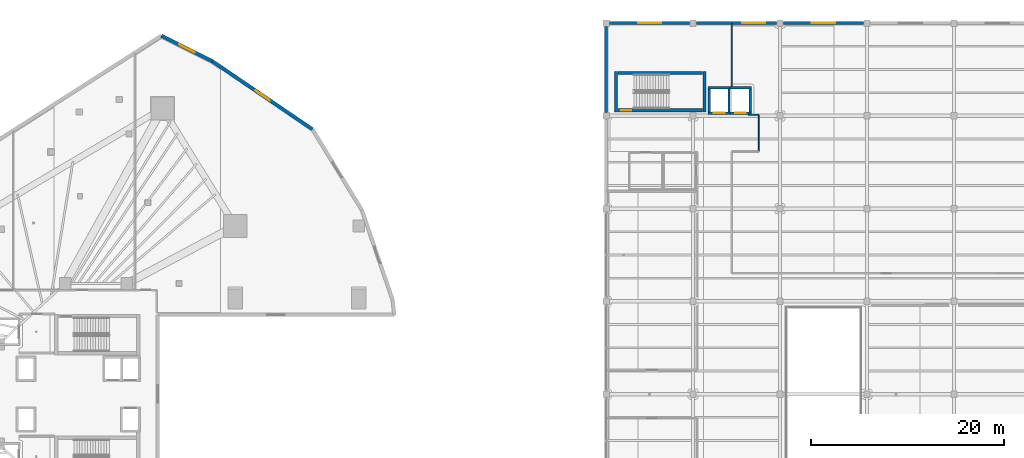
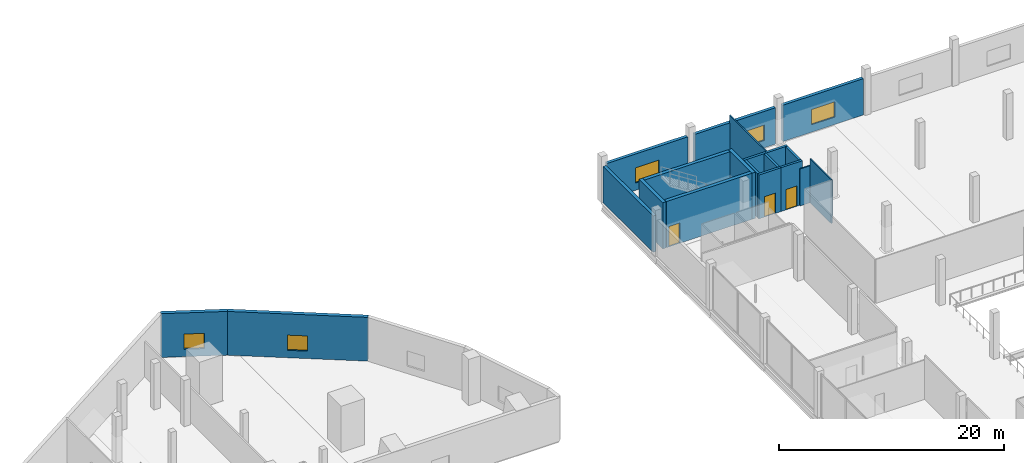
# One storey, part 33 of 46: 20 walls, 5 windows, 3 doors, 8 openings.
"""IFC4 building model written with IfcOpenShell, lengths in metres."""

from ifc_helpers import new_model, si_unit, direction, frame, frame_2d, origin, place, context, subcontext, project, spatial, rectangle, extrude, material, layer, layer_set, type_object, element, fill, save


model = new_model("IFC4")

# Units and contexts
model_context = context("Model", 3, precision=1e-05, world=origin(), true_north=direction((0.0, 1.0)))
body_context = subcontext(model_context, "Body", "Model", "MODEL_VIEW")
ifc_project = project(units=[si_unit("LENGTHUNIT", "METRE"), si_unit("AREAUNIT", "SQUARE_METRE"), si_unit("VOLUMEUNIT", "CUBIC_METRE"), si_unit("PLANEANGLEUNIT", "RADIAN"), si_unit("MASSUNIT", "GRAM", prefix="KILO")], contexts=[model_context])

# Site, building, storey
site_placement = place(None, origin())
site = spatial("IfcSite", under=ifc_project, at=site_placement, CompositionType="ELEMENT")
building_placement = place(site_placement, origin())
building = spatial("IfcBuilding", under=site, at=building_placement, Name="Qorvath Tower", CompositionType="ELEMENT")
storey_placement = place(building_placement, frame((0.0, 0.0, 17.0)))
storey = spatial("IfcBuildingStorey", under=building, at=storey_placement, Name="L03", CompositionType="ELEMENT", Elevation=17.0)

# Walls
ifc_material_1 = material(Name="Gypsum board on metal studs with mineral wool", Category="gypsum")
ifc_layer_1 = layer(ifc_material_1, 0.125)
ifc_layer_set_1 = layer_set([ifc_layer_1], Name="IW-PART-125")
wall_type_1 = type_object("IfcWallType", Name="IW-PART-125", PredefinedType="PARTITIONING", material=ifc_layer_set_1)
wall_1_placement = place(storey_placement, frame((48.18310546875, 28.907958984375, 0.0), z_axis=(0.0, 0.0, 1.0), x_axis=(-1.0, 0.0, 0.0)))
element("IfcWall", 1, at=wall_1_placement, inside=storey, type_object=wall_type_1, Name="Interior Partition IW-LB-L03-017", PredefinedType="PARTITIONING", context=body_context, shape_type="SweptSolid", body=[
    extrude(rectangle(XDim=1.05810546875, YDim=0.125, at=frame_2d((0.529052734375, 0.0))), origin(), (0.0, 0.0, 1.0), 4.01416015625),
])
wall_2_placement = place(storey_placement, frame((48.2080078125, 28.883056640625, 0.0), z_axis=(0.0, 0.0, 1.0), x_axis=(0.0, -1.0, 0.0)))
element("IfcWall", 2, at=wall_2_placement, inside=storey, type_object=wall_type_1, Name="Interior Partition IW-LB-L03-018", PredefinedType="PARTITIONING", context=body_context, shape_type="SweptSolid", body=[
    extrude(rectangle(XDim=3.745849609375, YDim=0.125, at=frame_2d((1.873046875, 0.0))), origin(), (0.0, 0.0, 1.0), 4.739990234375),
])
wall_3_placement = place(storey_placement, frame((45.39990234375, 38.320068359375, 0.0), z_axis=(0.0, 0.0, 1.0), x_axis=(0.0, -1.0, 0.0)))
element("IfcWall", 3, at=wall_3_placement, inside=storey, type_object=wall_type_1, Name="Interior Partition IW-LB-L03-022", PredefinedType="PARTITIONING", context=body_context, shape_type="SweptSolid", body=[
    extrude(rectangle(XDim=6.43505859375, YDim=0.125, at=frame_2d((3.217529296875, 0.0))), origin(), (0.0, 0.0, 1.0), 4.739990234375),
])

# Wall, opening, door
ifc_material_2 = material(Name="Concrete C60/75", Category="concrete")
ifc_layer_2 = layer(ifc_material_2, 0.260009765625)
ifc_layer_set_2 = layer_set([ifc_layer_2], Name="SW-SHAFT")
wall_type_2 = type_object("IfcWallType", Name="SW-SHAFT", PredefinedType="SHEAR", material=ifc_layer_set_2)
wall_4_placement = place(storey_placement, frame((45.239990234375, 29.080078125, 0.0), z_axis=(0.0, 0.0, 1.0), x_axis=(-1.0, 0.0, 0.0)))
wall_4 = element("IfcWall", 4, at=wall_4_placement, inside=storey, type_object=wall_type_2, Name="Hoistway Wall LL-1 L03 S", PredefinedType="SHEAR", context=body_context, shape_type="SweptSolid", body=[
    extrude(rectangle(XDim=2.280029296875, YDim=0.239990234375, at=frame_2d((1.14013671875, 0.0))), origin(), (0.0, 0.0, 1.0), 4.739990234375),
])
opening_1_placement = place(wall_4_placement, frame((0.58984375, 0.0, 0.0)))
opening_1 = element("IfcOpeningElement", 5, at=opening_1_placement, cuts=wall_4, Name="Opening LD-LL-1-L03", PredefinedType="OPENING", context=body_context, shape_type="SweptSolid", body=[
    extrude(rectangle(XDim=1.10009765625, YDim=2.199951171875, at=frame_2d((0.550048828125, 1.10009765625))), frame((0.0, 0.1298828125, 0.0), z_axis=(0.0, -1.0, 0.0), x_axis=(1.0, 0.0, 0.0)), (0.0, 0.0, 1.0), 0.260009765625),
])
ifc_material_3 = material(Name="Brushed stainless steel AISI 316", Category="steel")
door_type_1 = type_object("IfcDoorType", Name="LD-01", OperationType="NOTDEFINED", PredefinedType="DOOR", material=ifc_material_3)
door_1_placement = place(opening_1_placement, origin())
door_1 = element("IfcDoor", 6, at=door_1_placement, inside=storey, type_object=door_type_1, Name="Elevator Landing Sliding Door LD-LL-1-L03", OperationType="DOUBLE_DOOR_SLIDING", OverallHeight=2.199951171875, OverallWidth=1.10009765625, PredefinedType="DOOR", context=body_context, shape_type="SweptSolid", body=[
    extrude(rectangle(XDim=1.10009765625, YDim=2.199951171875, at=frame_2d((0.550048828125, 1.10009765625))), frame((0.0, 0.02490234375, 0.0), z_axis=(0.0, -1.0, 0.0), x_axis=(1.0, 0.0, 0.0)), (0.0, 0.0, 1.0), 0.050048828125),
])
fill(opening_1, door_1)

# Walls
wall_5_placement = place(storey_placement, frame((42.9599609375, 31.719970703125, 0.0), z_axis=(0.0, 0.0, 1.0), x_axis=(1.0, 0.0, 0.0)))
element("IfcWall", 7, at=wall_5_placement, inside=storey, type_object=wall_type_2, Name="Hoistway Wall LL-1 L03 N", PredefinedType="SHEAR", context=body_context, shape_type="SweptSolid", body=[
    extrude(rectangle(XDim=2.280029296875, YDim=0.239990234375, at=frame_2d((1.14013671875, 0.0))), origin(), (0.0, 0.0, 1.0), 4.739990234375),
])
for number, where, z_axis, x_axis, name in (
    (8, (43.080078125, 29.2119140625, 0.0), (0.0, 0.0, 1.0), (0.0, 1.0, 0.0), "Hoistway Wall LL-1 L03 W"),
    (9, (45.1201171875, 31.587890625, 0.0), (0.0, 0.0, 1.0), (0.0, -1.0, 0.0), "Hoistway Wall LL-1 L03 E"),
):
    element("IfcWall", number, at=place(storey_placement, frame(where, z_axis=z_axis, x_axis=x_axis)), inside=storey, type_object=wall_type_2, Name=name, PredefinedType="SHEAR", context=body_context, shape_type="SweptSolid", body=[
        extrude(rectangle(XDim=2.3759765625, YDim=0.239990234375, at=frame_2d((1.18798828125, 0.0))), origin(), (0.0, 0.0, 1.0), 4.739990234375),
    ])

# Wall, opening, door
wall_6_placement = place(storey_placement, frame((47.43994140625, 29.080078125, 0.0), z_axis=(0.0, 0.0, 1.0), x_axis=(-1.0, 0.0, 0.0)))
wall_6 = element("IfcWall", 10, at=wall_6_placement, inside=storey, type_object=wall_type_2, Name="Hoistway Wall LL-2 L03 S", PredefinedType="SHEAR", context=body_context, shape_type="SweptSolid", body=[
    extrude(rectangle(XDim=2.199951171875, YDim=0.239990234375, at=frame_2d((1.10009765625, 0.0))), origin(), (0.0, 0.0, 1.0), 4.739990234375),
])
opening_2_placement = place(wall_6_placement, frame((0.58984375, 0.0, 0.0)))
opening_2 = element("IfcOpeningElement", 11, at=opening_2_placement, cuts=wall_6, Name="Opening LD-LL-2-L03", PredefinedType="OPENING", context=body_context, shape_type="SweptSolid", body=[
    extrude(rectangle(XDim=1.10009765625, YDim=2.199951171875, at=frame_2d((0.550048828125, 1.10009765625))), frame((0.0, 0.1298828125, 0.0), z_axis=(0.0, -1.0, 0.0), x_axis=(1.0, 0.0, 0.0)), (0.0, 0.0, 1.0), 0.260009765625),
])
door_2_placement = place(opening_2_placement, origin())
door_2 = element("IfcDoor", 12, at=door_2_placement, inside=storey, type_object=door_type_1, Name="Elevator Landing Sliding Door LD-LL-2-L03", OperationType="DOUBLE_DOOR_SLIDING", OverallHeight=2.199951171875, OverallWidth=1.10009765625, PredefinedType="DOOR", context=body_context, shape_type="SweptSolid", body=[
    extrude(rectangle(XDim=1.10009765625, YDim=2.199951171875, at=frame_2d((0.550048828125, 1.10009765625))), frame((0.0, 0.02490234375, 0.0), z_axis=(0.0, -1.0, 0.0), x_axis=(1.0, 0.0, 0.0)), (0.0, 0.0, 1.0), 0.050048828125),
])
fill(opening_2, door_2)

# Walls
wall_7_placement = place(storey_placement, frame((45.239990234375, 31.719970703125, 0.0), z_axis=(0.0, 0.0, 1.0), x_axis=(1.0, 0.0, 0.0)))
element("IfcWall", 13, at=wall_7_placement, inside=storey, type_object=wall_type_2, Name="Hoistway Wall LL-2 L03 N", PredefinedType="SHEAR", context=body_context, shape_type="SweptSolid", body=[
    extrude(rectangle(XDim=2.199951171875, YDim=0.239990234375, at=frame_2d((1.10009765625, 0.0))), origin(), (0.0, 0.0, 1.0), 4.739990234375),
])
wall_8_placement = place(storey_placement, frame((47.320068359375, 31.587890625, 0.0), z_axis=(0.0, 0.0, 1.0), x_axis=(0.0, -1.0, 0.0)))
element("IfcWall", 14, at=wall_8_placement, inside=storey, type_object=wall_type_2, Name="Hoistway Wall LL-2 L03 E", PredefinedType="SHEAR", context=body_context, shape_type="SweptSolid", body=[
    extrude(rectangle(XDim=2.3759765625, YDim=0.239990234375, at=frame_2d((1.18798828125, 0.0))), origin(), (0.0, 0.0, 1.0), 4.739990234375),
])
ifc_material_4 = material(Name="Concrete C60/75", Category="concrete")
ifc_layer_3 = layer(ifc_material_4, 0.35009765625)
ifc_layer_set_3 = layer_set([ifc_layer_3], Name="SW-STAIR")
wall_type_3 = type_object("IfcWallType", Name="SW-STAIR", PredefinedType="SHEAR", material=ifc_layer_set_3)
for number, where, z_axis, x_axis, name in (
    (15, (33.425048828125, 33.409912109375, 0.0), (0.0, 0.0, 1.0), (0.0, -1.0, 0.0), "Stair LS1 Shear Wall L03 NEAR"),
    (16, (42.574951171875, 29.199951171875, 0.0), (0.0, 0.0, 1.0), (0.0, 1.0, 0.0), "Stair LS1 Shear Wall L03 FAR"),
):
    element("IfcWall", number, at=place(storey_placement, frame(where, z_axis=z_axis, x_axis=x_axis)), inside=storey, type_object=wall_type_3, Name=name, PredefinedType="SHEAR", context=body_context, shape_type="SweptSolid", body=[
        extrude(rectangle(XDim=4.2099609375, YDim=0.35009765625, at=frame_2d((2.10498046875, 0.0))), origin(), (0.0, 0.0, 1.0), 4.9951171875),
    ])

# Wall, opening, door
wall_9_placement = place(storey_placement, frame((33.614990234375, 29.375, 0.0), z_axis=(0.0, 0.0, 1.0), x_axis=(1.0, 0.0, 0.0)))
wall_9 = element("IfcWall", 17, at=wall_9_placement, inside=storey, type_object=wall_type_3, Name="Stair LS1 Shear Wall L03 LEFT", PredefinedType="SHEAR", context=body_context, shape_type="SweptSolid", body=[
    extrude(rectangle(XDim=8.77001953125, YDim=0.35009765625, at=frame_2d((4.385009765625, 0.0))), origin(), (0.0, 0.0, 1.0), 4.9951171875),
])
opening_3_placement = place(wall_9_placement, frame((0.280029296875, 0.0, 0.0)))
opening_3 = element("IfcOpeningElement", 18, at=opening_3_placement, cuts=wall_9, Name="Opening D-LS1-L03", PredefinedType="OPENING", context=body_context, shape_type="SweptSolid", body=[
    extrude(rectangle(XDim=1.10009765625, YDim=2.199951171875, at=frame_2d((0.550048828125, 1.10009765625))), frame((0.0, 0.18505859375, 0.0), z_axis=(0.0, -1.0, 0.0), x_axis=(1.0, 0.0, 0.0)), (0.0, 0.0, 1.0), 0.3701171875),
])
ifc_material_5 = material(Name="Painted galvanised hollow metal", Category="steel")
door_type_2 = type_object("IfcDoorType", Name="FD-90", OperationType="NOTDEFINED", PredefinedType="DOOR", material=ifc_material_5)
door_3_placement = place(opening_3_placement, origin())
door_3 = element("IfcDoor", 19, at=door_3_placement, inside=storey, type_object=door_type_2, Name="Stair LS1 Fire Door L03", OperationType="SINGLE_SWING_RIGHT", OverallHeight=2.199951171875, OverallWidth=1.10009765625, PredefinedType="DOOR", context=body_context, shape_type="SweptSolid", body=[
    extrude(rectangle(XDim=1.10009765625, YDim=2.199951171875, at=frame_2d((0.550048828125, 1.10009765625))), frame((0.0, 0.02490234375, 0.0), z_axis=(0.0, -1.0, 0.0), x_axis=(1.0, 0.0, 0.0)), (0.0, 0.0, 1.0), 0.050048828125),
])
fill(opening_3, door_3)

# Walls
wall_10_placement = place(storey_placement, frame((42.385009765625, 33.235107421875, 0.0), z_axis=(0.0, 0.0, 1.0), x_axis=(-1.0, 0.0, 0.0)))
element("IfcWall", 20, at=wall_10_placement, inside=storey, type_object=wall_type_3, Name="Stair LS1 Shear Wall L03 RIGHT", PredefinedType="SHEAR", context=body_context, shape_type="SweptSolid", body=[
    extrude(rectangle(XDim=8.77001953125, YDim=0.35009765625, at=frame_2d((4.385009765625, 0.0))), origin(), (0.0, 0.0, 1.0), 4.9951171875),
])
ifc_material_6 = material(Name="Precast concrete C45/55", Category="concrete")
ifc_layer_4 = layer(ifc_material_6, 0.320068359375)
ifc_layer_set_4 = layer_set([ifc_layer_4], Name="WL-EW-LIB-320")
wall_type_4 = type_object("IfcWallType", Name="WL-EW-LIB-320", PredefinedType="SOLIDWALL", material=ifc_layer_set_4)
wall_11_placement = place(storey_placement, frame((32.39990234375, 29.169921875, 0.0), z_axis=(0.0, 0.0, 1.0), x_axis=(0.0, 1.0, 0.0)))
element("IfcWall", 21, at=wall_11_placement, inside=storey, type_object=wall_type_4, Name="Library West Precast Facade Wall L03-8", PredefinedType="SOLIDWALL", context=body_context, shape_type="SweptSolid", body=[
    extrude(rectangle(XDim=8.860107421875, YDim=0.320068359375, at=frame_2d((4.43017578125, 0.0))), origin(), (0.0, 0.0, 1.0), 3.93701171875),
])

# Wall, opening, window
wall_12_placement = place(storey_placement, frame((50.77001953125, 38.39990234375, 0.0), z_axis=(0.0, 0.0, 1.0), x_axis=(1.0, 0.0, 0.0)))
wall_12 = element("IfcWall", 22, at=wall_12_placement, inside=storey, type_object=wall_type_4, Name="Library N Precast Wall L03-3", PredefinedType="SOLIDWALL", context=body_context, shape_type="SweptSolid", body=[
    extrude(rectangle(XDim=8.260009765625, YDim=0.320068359375, at=frame_2d((4.1298828125, 0.0))), origin(), (0.0, 0.0, 1.0), 3.93701171875),
])
opening_4_placement = place(wall_12_placement, frame((2.929931640625, 0.0, 0.800048828125)))
opening_4 = element("IfcOpeningElement", 23, at=opening_4_placement, cuts=wall_12, Name="Opening WN-L-117", PredefinedType="OPENING", context=body_context, shape_type="SweptSolid", body=[
    extrude(rectangle(XDim=2.39990234375, YDim=1.64990234375, at=frame_2d((1.199951171875, 0.824951171875))), frame((0.0, 0.169921875, 0.0), z_axis=(0.0, -1.0, 0.0), x_axis=(1.0, 0.0, 0.0)), (0.0, 0.0, 1.0), 0.340087890625),
])
ifc_material_7 = material(Name="Thermally broken aluminium and triple low-E glass", Category="aluminium")
window_type_1 = type_object("IfcWindowType", Name="WN-2", PartitioningType="SINGLE_PANEL", PredefinedType="WINDOW", material=ifc_material_7)
window_1_placement = place(opening_4_placement, origin())
window_1 = element("IfcWindow", 24, at=window_1_placement, inside=storey, type_object=window_type_1, Name="Library Reading Punched Window 117", OverallHeight=1.64990234375, OverallWidth=2.39990234375, PartitioningType="SINGLE_PANEL", PredefinedType="WINDOW", context=body_context, shape_type="SweptSolid", body=[
    extrude(rectangle(XDim=2.39990234375, YDim=1.64990234375, at=frame_2d((1.199951171875, 0.824951171875))), frame((0.0, 0.030029296875, 0.0), z_axis=(0.0, -1.0, 0.0), x_axis=(1.0, 0.0, 0.0)), (0.0, 0.0, 1.0), 0.06005859375),
])
fill(opening_4, window_1)

wall_13_placement = place(storey_placement, frame((41.77001953125, 38.39990234375, 0.0), z_axis=(0.0, 0.0, 1.0), x_axis=(1.0, 0.0, 0.0)))
wall_13 = element("IfcWall", 25, at=wall_13_placement, inside=storey, type_object=wall_type_4, Name="Library N Precast Wall L03-4", PredefinedType="SOLIDWALL", context=body_context, shape_type="SweptSolid", body=[
    extrude(rectangle(XDim=8.260009765625, YDim=0.320068359375, at=frame_2d((4.1298828125, 0.0))), origin(), (0.0, 0.0, 1.0), 3.93701171875),
])
opening_5_placement = place(wall_13_placement, frame((4.699951171875, 0.0, 0.800048828125)))
opening_5 = element("IfcOpeningElement", 26, at=opening_5_placement, cuts=wall_13, Name="Opening WN-L-118", PredefinedType="OPENING", context=body_context, shape_type="SweptSolid", body=[
    extrude(rectangle(XDim=2.39990234375, YDim=1.64990234375, at=frame_2d((1.199951171875, 0.824951171875))), frame((0.0, 0.169921875, 0.0), z_axis=(0.0, -1.0, 0.0), x_axis=(1.0, 0.0, 0.0)), (0.0, 0.0, 1.0), 0.340087890625),
])
window_2_placement = place(opening_5_placement, origin())
window_2 = element("IfcWindow", 27, at=window_2_placement, inside=storey, type_object=window_type_1, Name="Library Reading Punched Window 118", OverallHeight=1.64990234375, OverallWidth=2.39990234375, PartitioningType="SINGLE_PANEL", PredefinedType="WINDOW", context=body_context, shape_type="SweptSolid", body=[
    extrude(rectangle(XDim=2.39990234375, YDim=1.64990234375, at=frame_2d((1.199951171875, 0.824951171875))), frame((0.0, 0.030029296875, 0.0), z_axis=(0.0, -1.0, 0.0), x_axis=(1.0, 0.0, 0.0)), (0.0, 0.0, 1.0), 0.06005859375),
])
fill(opening_5, window_2)

wall_14_placement = place(storey_placement, frame((32.77001953125, 38.39990234375, 0.0), z_axis=(0.0, 0.0, 1.0), x_axis=(1.0, 0.0, 0.0)))
wall_14 = element("IfcWall", 28, at=wall_14_placement, inside=storey, type_object=wall_type_4, Name="Library N Precast Wall L03-5", PredefinedType="SOLIDWALL", context=body_context, shape_type="SweptSolid", body=[
    extrude(rectangle(XDim=8.260009765625, YDim=0.320068359375, at=frame_2d((4.1298828125, 0.0))), origin(), (0.0, 0.0, 1.0), 3.93701171875),
])
opening_6_placement = place(wall_14_placement, frame((2.929931640625, 0.0, 0.800048828125)))
opening_6 = element("IfcOpeningElement", 29, at=opening_6_placement, cuts=wall_14, Name="Opening WN-L-119", PredefinedType="OPENING", context=body_context, shape_type="SweptSolid", body=[
    extrude(rectangle(XDim=2.39990234375, YDim=1.64990234375, at=frame_2d((1.199951171875, 0.824951171875))), frame((0.0, 0.169921875, 0.0), z_axis=(0.0, -1.0, 0.0), x_axis=(1.0, 0.0, 0.0)), (0.0, 0.0, 1.0), 0.340087890625),
])
window_3_placement = place(opening_6_placement, origin())
window_3 = element("IfcWindow", 30, at=window_3_placement, inside=storey, type_object=window_type_1, Name="Library Reading Punched Window 119", OverallHeight=1.64990234375, OverallWidth=2.39990234375, PartitioningType="SINGLE_PANEL", PredefinedType="WINDOW", context=body_context, shape_type="SweptSolid", body=[
    extrude(rectangle(XDim=2.39990234375, YDim=1.64990234375, at=frame_2d((1.199951171875, 0.824951171875))), frame((0.0, 0.030029296875, 0.0), z_axis=(0.0, -1.0, 0.0), x_axis=(1.0, 0.0, 0.0)), (0.0, 0.0, 1.0), 0.06005859375),
])
fill(opening_6, window_3)

ifc_material_8 = material(Name="Precast concrete C50/60", Category="concrete")
ifc_layer_5 = layer(ifc_material_8, 0.3798828125)
ifc_layer_set_5 = layer_set([ifc_layer_5], Name="WL-EW-POD-380")
wall_type_5 = type_object("IfcWallType", Name="WL-EW-POD-380", PredefinedType="SOLIDWALL", material=ifc_layer_set_5)
wall_15_placement = place(storey_placement, frame((-8.3359375, 34.44482421875, 0.0), z_axis=(0.0, 0.0, 1.0), x_axis=(0.826650936963, -0.562715050819, 0.0)))
wall_15 = element("IfcWall", 31, at=wall_15_placement, inside=storey, type_object=wall_type_5, Name="Tower Podium Precast Facade Wall L03-7.1", PredefinedType="SOLIDWALL", context=body_context, shape_type="SweptSolid", body=[
    extrude(rectangle(XDim=12.528076171875, YDim=0.3798828125, at=frame_2d((6.26416015625, 0.0))), origin(), (0.0, 0.0, 1.0), 4.739990234375),
])
opening_7_placement = place(wall_15_placement, frame((5.364013671875, 0.0, 0.800048828125)))
opening_7 = element("IfcOpeningElement", 32, at=opening_7_placement, cuts=wall_15, Name="Opening WN-L03-034", PredefinedType="OPENING", context=body_context, shape_type="SweptSolid", body=[
    extrude(rectangle(XDim=1.800048828125, YDim=1.64990234375, at=frame_2d((0.89990234375, 0.824951171875))), frame((0.0, 0.199951171875, 0.0), z_axis=(0.0, -1.0, 0.0), x_axis=(1.0, 0.0, 0.0)), (0.0, 0.0, 1.0), 0.39990234375),
])
ifc_material_9 = material(Name="Thermally broken aluminium and triple low-E glass", Category="aluminium")
window_type_2 = type_object("IfcWindowType", Name="WN-1", PartitioningType="SINGLE_PANEL", PredefinedType="WINDOW", material=ifc_material_9)
window_4_placement = place(opening_7_placement, origin())
window_4 = element("IfcWindow", 33, at=window_4_placement, inside=storey, type_object=window_type_2, Name="Podium Punched Window L03-034", OverallHeight=1.64990234375, OverallWidth=1.800048828125, PartitioningType="SINGLE_PANEL", PredefinedType="WINDOW", context=body_context, shape_type="SweptSolid", body=[
    extrude(rectangle(XDim=1.800048828125, YDim=1.64990234375, at=frame_2d((0.89990234375, 0.824951171875))), frame((0.0, 0.030029296875, 0.0), z_axis=(0.0, -1.0, 0.0), x_axis=(1.0, 0.0, 0.0)), (0.0, 0.0, 1.0), 0.06005859375),
])
fill(opening_7, window_4)

wall_16_placement = place(storey_placement, frame((-13.63525390625, 37.094482421875, 0.0), z_axis=(0.0, 0.0, 1.0), x_axis=(0.894427191, -0.4472135955, 0.0)))
wall_16 = element("IfcWall", 34, at=wall_16_placement, inside=storey, type_object=wall_type_5, Name="Tower Podium Precast Facade Wall L03-8.1", PredefinedType="SOLIDWALL", context=body_context, shape_type="SweptSolid", body=[
    extrude(rectangle(XDim=5.9248046875, YDim=0.3798828125, at=frame_2d((2.96240234375, 0.0))), origin(), (0.0, 0.0, 1.0), 4.739990234375),
])
opening_8_placement = place(wall_16_placement, frame((2.0625, 0.0, 0.800048828125)))
opening_8 = element("IfcOpeningElement", 35, at=opening_8_placement, cuts=wall_16, Name="Opening WN-L03-035", PredefinedType="OPENING", context=body_context, shape_type="SweptSolid", body=[
    extrude(rectangle(XDim=1.800048828125, YDim=1.64990234375, at=frame_2d((0.89990234375, 0.824951171875))), frame((0.0, 0.199951171875, 0.0), z_axis=(0.0, -1.0, 0.0), x_axis=(1.0, 0.0, 0.0)), (0.0, 0.0, 1.0), 0.39990234375),
])
window_5_placement = place(opening_8_placement, origin())
window_5 = element("IfcWindow", 36, at=window_5_placement, inside=storey, type_object=window_type_2, Name="Podium Punched Window L03-035", OverallHeight=1.64990234375, OverallWidth=1.800048828125, PartitioningType="SINGLE_PANEL", PredefinedType="WINDOW", context=body_context, shape_type="SweptSolid", body=[
    extrude(rectangle(XDim=1.800048828125, YDim=1.64990234375, at=frame_2d((0.89990234375, 0.824951171875))), frame((0.0, 0.030029296875, 0.0), z_axis=(0.0, -1.0, 0.0), x_axis=(1.0, 0.0, 0.0)), (0.0, 0.0, 1.0), 0.06005859375),
])
fill(opening_8, window_5)

save(model, "model.ifc")
